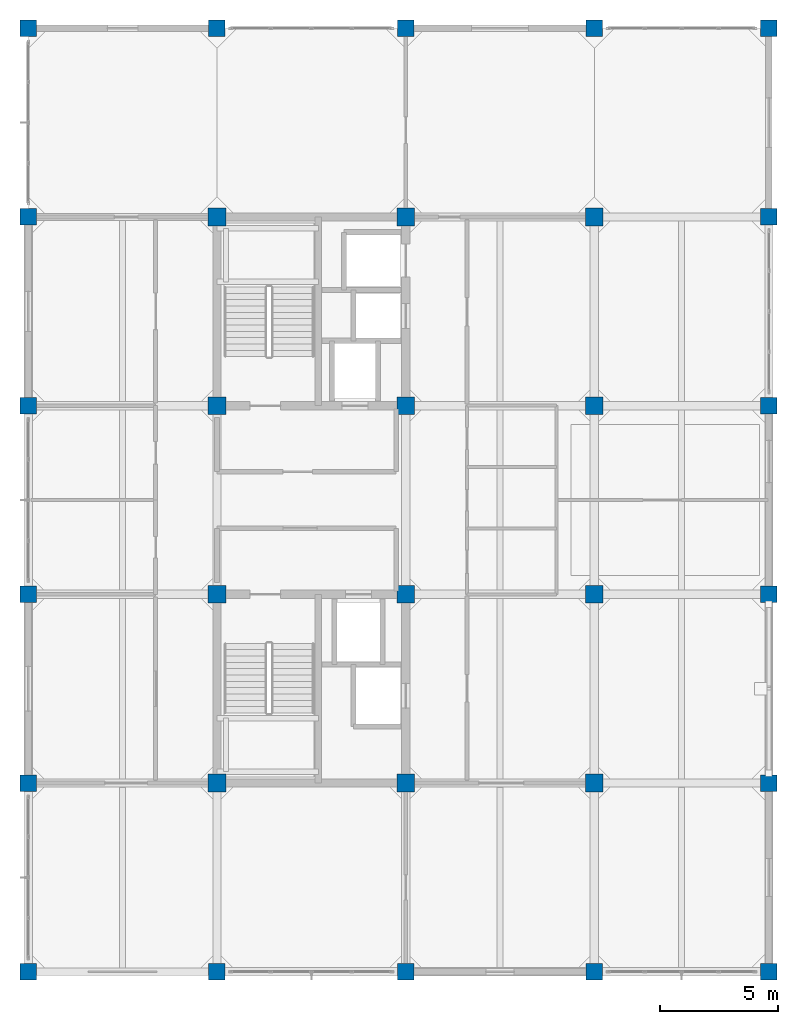
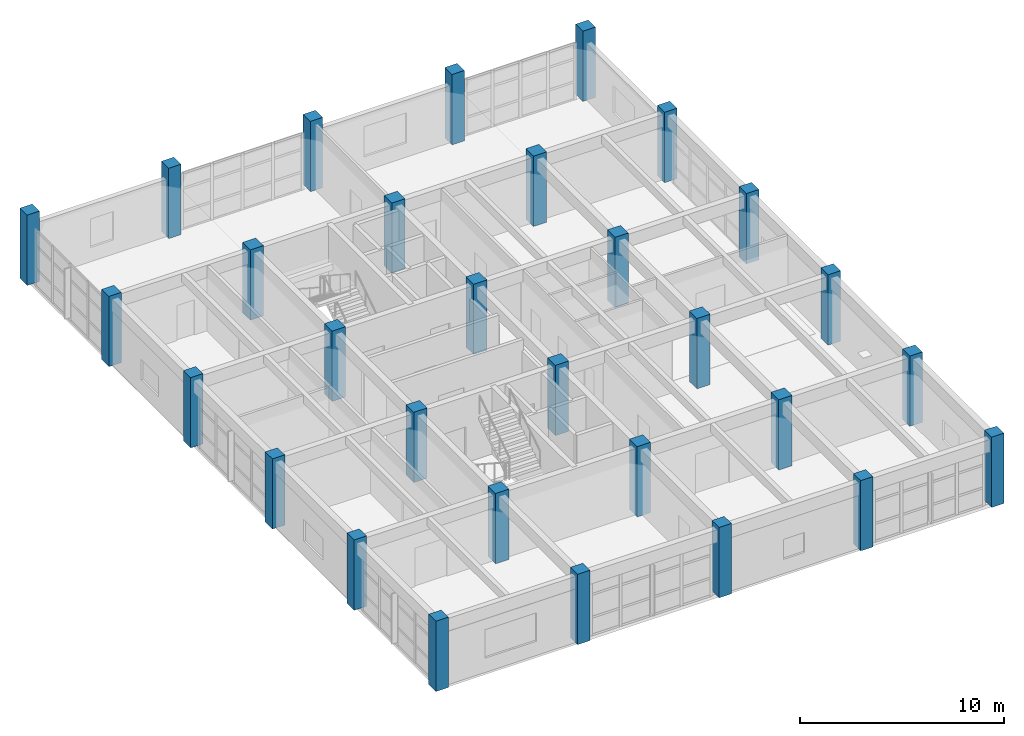
# One storey, part 1 of 19: 30 columns.
"""IFC4 building model written with IfcOpenShell, lengths in metres."""

from ifc_helpers import new_model, si_unit, direction, frame, origin, origin_2d, place, context, subcontext, project, spatial, rectangle, extrude, material, material_profile, profile_set, type_object, element, save


model = new_model("IFC4")

# Units and contexts
model_context = context("Model", 3, precision=1e-05, world=origin(), true_north=direction((0.0, 1.0)))
body_context = subcontext(model_context, "Body", "Model", "MODEL_VIEW")
ifc_project = project(units=[si_unit("LENGTHUNIT", "METRE"), si_unit("AREAUNIT", "SQUARE_METRE"), si_unit("VOLUMEUNIT", "CUBIC_METRE"), si_unit("PLANEANGLEUNIT", "RADIAN"), si_unit("MASSUNIT", "GRAM", prefix="KILO")], contexts=[model_context])

# Site, building, storey
site_placement = place(None, origin())
site = spatial("IfcSite", under=ifc_project, at=site_placement, CompositionType="ELEMENT")
building_placement = place(site_placement, origin())
building = spatial("IfcBuilding", under=site, at=building_placement, Name="Canggui Botanical Conservatory", CompositionType="ELEMENT")
storey_placement = place(building_placement, frame((0.0, 0.0, 44.39990234375)))
storey = spatial("IfcBuildingStorey", under=building, at=storey_placement, Name="L11", CompositionType="ELEMENT", Elevation=44.39990234375)

# Columns
ifc_material_1 = material(Name="Concrete C40", Category="concrete")
ifc_material_profile_1 = material_profile(ifc_material_1, rectangle(XDim=0.75, YDim=0.75, at=origin_2d()), Name="RC 750x750")
ifc_profile_set_1 = profile_set([ifc_material_profile_1], Name="Concrete C40")
column_type_1 = type_object("IfcColumnType", Name="COL-KZ08", PredefinedType="COLUMN", material=ifc_profile_set_1)
for number, where, z_axis, x_axis, name in (
    (1, (154.0, 42.0, 0.0), (0.0, 0.0, 1.0), (1.0, 0.0, 0.0), "Tower RC Column L11 (154,42)"),
    (2, (154.0, 50.0, 0.0), (0.0, 0.0, 1.0), (1.0, 0.0, 0.0), "Tower RC Column L11 (154,50)"),
    (3, (154.0, 58.0, 0.0), (0.0, 0.0, 1.0), (1.0, 0.0, 0.0), "Tower RC Column L11 (154,58)"),
    (4, (154.0, 66.0, 0.0), (0.0, 0.0, 1.0), (1.0, 0.0, 0.0), "Tower RC Column L11 (154,66)"),
    (5, (162.0, 42.0, 0.0), (0.0, 0.0, 1.0), (1.0, 0.0, 0.0), "Tower RC Column L11 (162,42)"),
    (6, (162.0, 50.0, 0.0), (0.0, 0.0, 1.0), (1.0, 0.0, 0.0), "Tower RC Column L11 (162,50)"),
    (7, (162.0, 58.0, 0.0), (0.0, 0.0, 1.0), (1.0, 0.0, 0.0), "Tower RC Column L11 (162,58)"),
    (8, (162.0, 66.0, 0.0), (0.0, 0.0, 1.0), (1.0, 0.0, 0.0), "Tower RC Column L11 (162,66)"),
    (9, (170.0, 42.0, 0.0), (0.0, 0.0, 1.0), (1.0, 0.0, 0.0), "Tower RC Column L11 (170,42)"),
    (10, (170.0, 50.0, 0.0), (0.0, 0.0, 1.0), (1.0, 0.0, 0.0), "Tower RC Column L11 (170,50)"),
    (11, (170.0, 58.0, 0.0), (0.0, 0.0, 1.0), (1.0, 0.0, 0.0), "Tower RC Column L11 (170,58)"),
    (12, (170.0, 66.0, 0.0), (0.0, 0.0, 1.0), (1.0, 0.0, 0.0), "Tower RC Column L11 (170,66)"),
):
    element("IfcColumn", number, at=place(storey_placement, frame(where, z_axis=z_axis, x_axis=x_axis)), inside=storey, type_object=column_type_1, Name=name, PredefinedType="COLUMN", context=body_context, shape_type="SweptSolid", body=[
        extrude(rectangle(XDim=0.75, YDim=0.75, at=origin_2d()), origin(), (0.0, 0.0, 1.0), 4.2001953125),
    ])
ifc_material_2 = material(Name="Concrete C35", Category="concrete")
ifc_material_profile_2 = material_profile(ifc_material_2, rectangle(XDim=0.699951171875, YDim=0.699951171875, at=origin_2d()), Name="RC 700x700")
ifc_profile_set_2 = profile_set([ifc_material_profile_2], Name="Concrete C35")
column_type_2 = type_object("IfcColumnType", Name="COL-KZ09", PredefinedType="COLUMN", material=ifc_profile_set_2)
for number, where, z_axis, x_axis, name in (
    (13, (146.0, 34.0, 0.0), (0.0, 0.0, 1.0), (1.0, 0.0, 0.0), "Tower RC Column L11 (146,34)"),
    (14, (146.0, 42.0, 0.0), (0.0, 0.0, 1.0), (1.0, 0.0, 0.0), "Tower RC Column L11 (146,42)"),
    (15, (146.0, 50.0, 0.0), (0.0, 0.0, 1.0), (1.0, 0.0, 0.0), "Tower RC Column L11 (146,50)"),
    (16, (146.0, 58.0, 0.0), (0.0, 0.0, 1.0), (1.0, 0.0, 0.0), "Tower RC Column L11 (146,58)"),
    (17, (146.0, 66.0, 0.0), (0.0, 0.0, 1.0), (1.0, 0.0, 0.0), "Tower RC Column L11 (146,66)"),
    (18, (146.0, 74.0, 0.0), (0.0, 0.0, 1.0), (1.0, 0.0, 0.0), "Tower RC Column L11 (146,74)"),
    (19, (154.0, 34.0, 0.0), (0.0, 0.0, 1.0), (1.0, 0.0, 0.0), "Tower RC Column L11 (154,34)"),
    (20, (154.0, 74.0, 0.0), (0.0, 0.0, 1.0), (1.0, 0.0, 0.0), "Tower RC Column L11 (154,74)"),
    (21, (162.0, 34.0, 0.0), (0.0, 0.0, 1.0), (1.0, 0.0, 0.0), "Tower RC Column L11 (162,34)"),
    (22, (162.0, 74.0, 0.0), (0.0, 0.0, 1.0), (1.0, 0.0, 0.0), "Tower RC Column L11 (162,74)"),
    (23, (170.0, 34.0, 0.0), (0.0, 0.0, 1.0), (1.0, 0.0, 0.0), "Tower RC Column L11 (170,34)"),
    (24, (170.0, 74.0, 0.0), (0.0, 0.0, 1.0), (1.0, 0.0, 0.0), "Tower RC Column L11 (170,74)"),
    (25, (177.39990234375, 34.0, 0.0), (0.0, 0.0, 1.0), (1.0, 0.0, 0.0), "Tower RC Column L11 (178,34)"),
    (26, (177.39990234375, 42.0, 0.0), (0.0, 0.0, 1.0), (1.0, 0.0, 0.0), "Tower RC Column L11 (178,42)"),
    (27, (177.39990234375, 50.0, 0.0), (0.0, 0.0, 1.0), (1.0, 0.0, 0.0), "Tower RC Column L11 (178,50)"),
    (28, (177.39990234375, 58.0, 0.0), (0.0, 0.0, 1.0), (1.0, 0.0, 0.0), "Tower RC Column L11 (178,58)"),
    (29, (177.39990234375, 66.0, 0.0), (0.0, 0.0, 1.0), (1.0, 0.0, 0.0), "Tower RC Column L11 (178,66)"),
    (30, (177.39990234375, 74.0, 0.0), (0.0, 0.0, 1.0), (1.0, 0.0, 0.0), "Tower RC Column L11 (178,74)"),
):
    element("IfcColumn", number, at=place(storey_placement, frame(where, z_axis=z_axis, x_axis=x_axis)), inside=storey, type_object=column_type_2, Name=name, PredefinedType="COLUMN", context=body_context, shape_type="SweptSolid", body=[
        extrude(rectangle(XDim=0.699951171875, YDim=0.699951171875, at=origin_2d()), origin(), (0.0, 0.0, 1.0), 4.2001953125),
    ])

save(model, "model.ifc")
